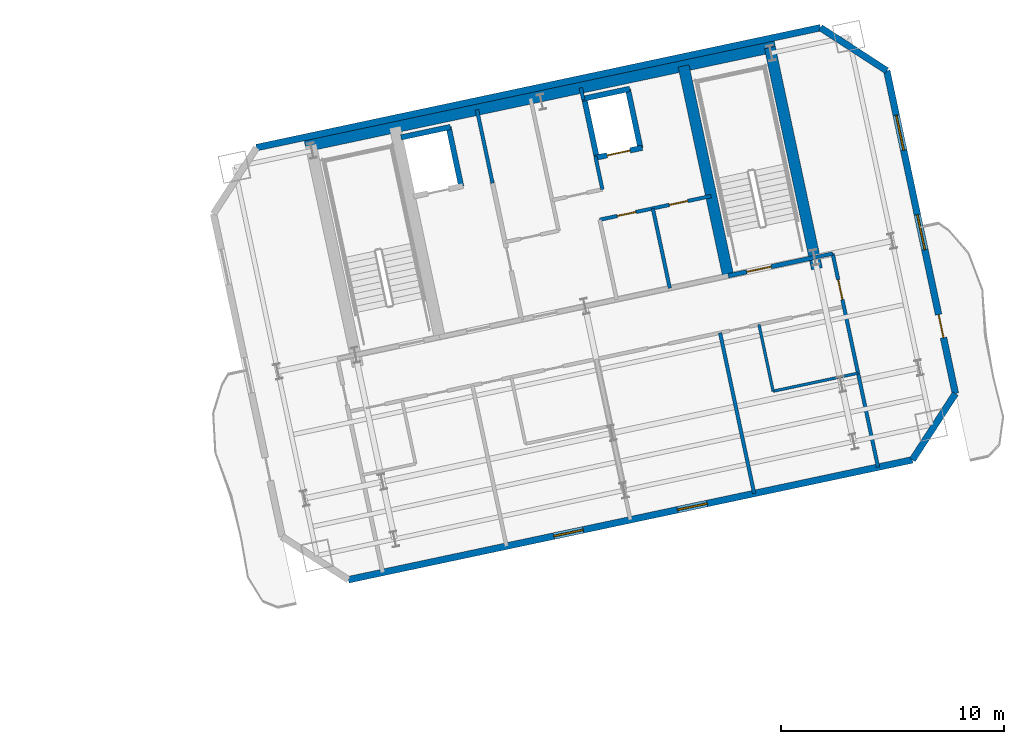
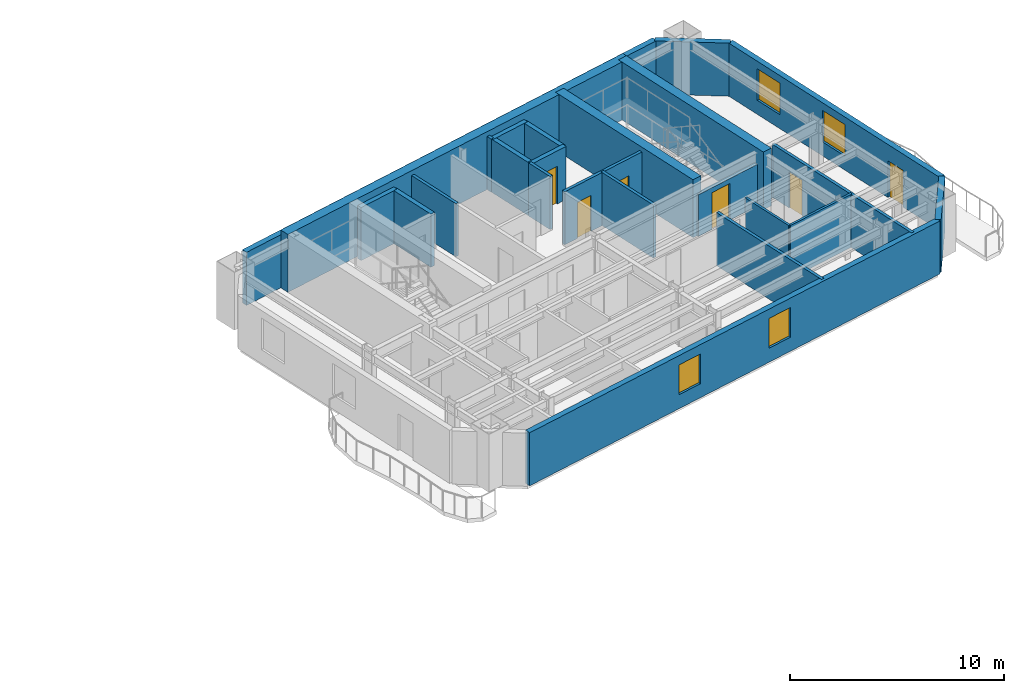
# One storey, part 9 of 14: 25 walls, 6 doors, 4 windows, 10 openings.
"""IFC4 building model written with IfcOpenShell, lengths in metres."""

from ifc_helpers import new_model, si_unit, direction, frame, frame_2d, origin, place, context, subcontext, project, spatial, rectangle, extrude, material, layer, layer_set, type_object, element, fill, save


model = new_model("IFC4")

# Units and contexts
model_context = context("Model", 3, precision=1e-05, world=origin(), true_north=direction((0.0, 1.0)))
body_context = subcontext(model_context, "Body", "Model", "MODEL_VIEW")
ifc_project = project(units=[si_unit("LENGTHUNIT", "METRE"), si_unit("AREAUNIT", "SQUARE_METRE"), si_unit("VOLUMEUNIT", "CUBIC_METRE"), si_unit("PLANEANGLEUNIT", "RADIAN"), si_unit("MASSUNIT", "GRAM", prefix="KILO")], contexts=[model_context])

# Site, building, storey
site_placement = place(None, origin())
site = spatial("IfcSite", under=ifc_project, at=site_placement, CompositionType="ELEMENT")
building_placement = place(site_placement, origin())
building = spatial("IfcBuilding", under=site, at=building_placement, Name="Haevon Station Towers", CompositionType="ELEMENT")
storey_placement = place(building_placement, frame((0.0, 0.0, 179.10009765625)))
storey = spatial("IfcBuildingStorey", under=building, at=storey_placement, Name="L49", CompositionType="ELEMENT", Elevation=179.10009765625)

# Wall, opening, door
ifc_material_1 = material(Name="Gypsum board on steel stud", Category="steel")
ifc_layer_1 = layer(ifc_material_1, 0.199951171875)
ifc_layer_set_1 = layer_set([ifc_layer_1], Name="Gypsum board on steel stud")
wall_type_1 = type_object("IfcWallType", Name="WL-COR200", PredefinedType="PARTITIONING", material=ifc_layer_set_1)
wall_1_placement = place(storey_placement, frame((115.4296875, 40.9873046875, 0.0), z_axis=(0.0, 0.0, 1.0), x_axis=(0.978146596989, 0.207916413008, 0.0)))
wall_1 = element("IfcWall", 1, at=wall_1_placement, inside=storey, type_object=wall_type_1, Name="WL-ST-ST4-L49", PredefinedType="PARTITIONING", context=body_context, shape_type="SweptSolid", body=[
    extrude(rectangle(XDim=3.9501953125, YDim=0.199951171875, at=frame_2d((1.97509765625, 0.0))), origin(), (0.0, 0.0, 1.0), 2.3798828125),
])
opening_1_placement = place(wall_1_placement, frame((0.85009765625, 0.0, 0.0)))
opening_1 = element("IfcOpeningElement", 2, at=opening_1_placement, cuts=wall_1, Name="Opening DR-ST-ST4-L49", PredefinedType="OPENING", context=body_context, shape_type="SweptSolid", body=[
    extrude(rectangle(XDim=1.1201171875, YDim=2.10009765625, at=frame_2d((0.56005859375, 1.050048828125))), frame((0.0, 0.10986328125, 0.0), z_axis=(0.0, -1.0, 0.0), x_axis=(1.0, 0.0, 0.0)), (0.0, 0.0, 1.0), 0.219970703125),
])
ifc_material_2 = material(Name="Engineered oak timber", Category="wood")
door_type_1 = type_object("IfcDoorType", Name="DR-ST-1120", OperationType="NOTDEFINED", PredefinedType="DOOR", material=ifc_material_2)
door_1_placement = place(opening_1_placement, origin())
door_1 = element("IfcDoor", 3, at=door_1_placement, inside=storey, type_object=door_type_1, Name="L49 Escape Stair ST4 Fire Door", OperationType="SINGLE_SWING_LEFT", OverallHeight=2.10009765625, OverallWidth=1.1201171875, PredefinedType="DOOR", context=body_context, shape_type="SweptSolid", body=[
    extrude(rectangle(XDim=1.1201171875, YDim=2.10009765625, at=frame_2d((0.56005859375, 1.050048828125))), frame((0.0, 0.02490234375, 0.0), z_axis=(0.0, -1.0, 0.0), x_axis=(1.0, 0.0, 0.0)), (0.0, 0.0, 1.0), 0.050048828125),
])
fill(opening_1, door_1)

# Walls
ifc_material_3 = material(Name="Concrete C60/75", Category="concrete")
ifc_layer_2 = layer(ifc_material_3, 0.5)
ifc_layer_set_2 = layer_set([ifc_layer_2], Name="Concrete C60/75")
wall_type_2 = type_object("IfcWallType", Name="WL-CR500", PredefinedType="SHEAR", material=ifc_layer_set_2)
wall_2_placement = place(storey_placement, frame((96.511962890625, 46.78076171875, 0.0), z_axis=(0.0, 0.0, 1.0), x_axis=(0.978148546782, 0.207907239961, 0.0)))
element("IfcWall", 4, at=wall_2_placement, inside=storey, type_object=wall_type_2, Name="WL-T2CR-L49-N", PredefinedType="SHEAR", context=body_context, shape_type="SweptSolid", body=[
    extrude(rectangle(XDim=21.499755859375, YDim=0.5, at=frame_2d((10.75, 0.0))), origin(), (0.0, 0.0, 1.0), 3.2998046875),
])
wall_3_placement = place(storey_placement, frame((119.401611328125, 41.2998046875, 0.0), z_axis=(0.0, 0.0, 1.0), x_axis=(-0.207904342798, 0.978149162575, 0.0)))
element("IfcWall", 5, at=wall_3_placement, inside=storey, type_object=wall_type_2, Name="WL-T2CR-L49-E", PredefinedType="SHEAR", context=body_context, shape_type="SweptSolid", body=[
    extrude(rectangle(XDim=10.1201171875, YDim=0.5, at=frame_2d((5.06005859375, 0.0))), origin(), (0.0, 0.0, 1.0), 3.2998046875),
])
wall_4_placement = place(storey_placement, frame((115.4296875, 40.9873046875, 0.0), z_axis=(0.0, 0.0, 1.0), x_axis=(-0.207903162969, 0.978149413345, 0.0)))
element("IfcWall", 6, at=wall_4_placement, inside=storey, type_object=wall_type_2, Name="WL-T2CR-L49-M2", PredefinedType="SHEAR", context=body_context, shape_type="SweptSolid", body=[
    extrude(rectangle(XDim=9.599853515625, YDim=0.5, at=frame_2d((4.7998046875, 0.0))), origin(), (0.0, 0.0, 1.0), 3.2998046875),
])

# Wall, openings, windows
ifc_material_4 = material(Name="Precast concrete C45/55", Category="concrete")
ifc_layer_3 = layer(ifc_material_4, 0.300048828125)
ifc_layer_set_3 = layer_set([ifc_layer_3], Name="Precast concrete C45/55")
wall_type_3 = type_object("IfcWallType", Name="WL-EXT-PIER300", PredefinedType="SOLIDWALL", material=ifc_layer_set_3)
wall_5_placement = place(storey_placement, frame((123.67236328125, 32.7509765625, 0.0), z_axis=(0.0, 0.0, 1.0), x_axis=(-0.978148652743, -0.207906741442, 0.0)))
wall_5 = element("IfcWall", 7, at=wall_5_placement, inside=storey, type_object=wall_type_3, Name="WL-T2-L49-S", PredefinedType="SOLIDWALL", context=body_context, shape_type="SweptSolid", body=[
    extrude(rectangle(XDim=25.800048828125, YDim=0.300048828125, at=frame_2d((12.89990234375, 0.0))), origin(), (0.0, 0.0, 1.0), 3.02978515625),
])
opening_2_placement = place(wall_5_placement, frame((15.0576171875, 0.0, 0.800048828125)))
opening_2 = element("IfcOpeningElement", 8, at=opening_2_placement, cuts=wall_5, Name="Opening WN-P135", PredefinedType="OPENING", context=body_context, shape_type="SweptSolid", body=[
    extrude(rectangle(XDim=1.35009765625, YDim=1.699951171875, at=frame_2d((0.675048828125, 0.85009765625))), frame((0.0, 0.159912109375, 0.0), z_axis=(0.0, -1.0, 0.0), x_axis=(1.0, 0.0, 0.0)), (0.0, 0.0, 1.0), 0.320068359375),
])
opening_3_placement = place(wall_5_placement, frame((9.392578125, 0.0, 0.800048828125)))
opening_3 = element("IfcOpeningElement", 9, at=opening_3_placement, cuts=wall_5, Name="Opening WN-P135", PredefinedType="OPENING", context=body_context, shape_type="SweptSolid", body=[
    extrude(rectangle(XDim=1.35009765625, YDim=1.699951171875, at=frame_2d((0.675048828125, 0.85009765625))), frame((0.0, 0.159912109375, 0.0), z_axis=(0.0, -1.0, 0.0), x_axis=(1.0, 0.0, 0.0)), (0.0, 0.0, 1.0), 0.320068359375),
])
ifc_material_5 = material(Name="Low-E triple glazing in thermally broken aluminium", Category="aluminium")
window_type_1 = type_object("IfcWindowType", Name="WN-P135", PartitioningType="SINGLE_PANEL", PredefinedType="WINDOW", material=ifc_material_5)
window_1_placement = place(opening_2_placement, origin())
window_1 = element("IfcWindow", 10, at=window_1_placement, inside=storey, type_object=window_type_1, Name="WN-T2-L49-S01", OverallHeight=1.699951171875, OverallWidth=1.35009765625, PartitioningType="SINGLE_PANEL", PredefinedType="WINDOW", context=body_context, shape_type="SweptSolid", body=[
    extrude(rectangle(XDim=1.35009765625, YDim=1.699951171875, at=frame_2d((0.675048828125, 0.85009765625))), frame((0.0, 0.030029296875, 0.0), z_axis=(0.0, -1.0, 0.0), x_axis=(1.0, 0.0, 0.0)), (0.0, 0.0, 1.0), 0.06005859375),
])
fill(opening_2, window_1)
window_2_placement = place(opening_3_placement, origin())
window_2 = element("IfcWindow", 11, at=window_2_placement, inside=storey, type_object=window_type_1, Name="WN-T2-L49-S02", OverallHeight=1.699951171875, OverallWidth=1.35009765625, PartitioningType="SINGLE_PANEL", PredefinedType="WINDOW", context=body_context, shape_type="SweptSolid", body=[
    extrude(rectangle(XDim=1.35009765625, YDim=1.699951171875, at=frame_2d((0.675048828125, 0.85009765625))), frame((0.0, 0.030029296875, 0.0), z_axis=(0.0, -1.0, 0.0), x_axis=(1.0, 0.0, 0.0)), (0.0, 0.0, 1.0), 0.06005859375),
])
fill(opening_3, window_2)

# Walls
wall_6_placement = place(storey_placement, frame((94.32568359375, 46.724853515625, 0.0), z_axis=(0.0, 0.0, 1.0), x_axis=(0.978146319248, 0.207917719645, 0.0)))
element("IfcWall", 12, at=wall_6_placement, inside=storey, type_object=wall_type_3, Name="WL-T2-L49-N", PredefinedType="SOLIDWALL", context=body_context, shape_type="SweptSolid", body=[
    extrude(rectangle(XDim=25.7998046875, YDim=0.300048828125, at=frame_2d((12.89990234375, 0.0))), origin(), (0.0, 0.0, 1.0), 3.02978515625),
])
wall_7_placement = place(storey_placement, frame((119.561767578125, 52.089111328125, 0.0), z_axis=(0.0, 0.0, 1.0), x_axis=(0.838661251934, -0.544653380146, 0.0)))
element("IfcWall", 13, at=wall_7_placement, inside=storey, type_object=wall_type_3, Name="WL-T2-L49-NEC", PredefinedType="SOLIDWALL", context=body_context, shape_type="SweptSolid", body=[
    extrude(rectangle(XDim=3.535888671875, YDim=0.300048828125, at=frame_2d((1.76806640625, 0.0))), origin(), (0.0, 0.0, 1.0), 3.02978515625),
])

# Wall, openings, door, windows
wall_8_placement = place(storey_placement, frame((122.527099609375, 50.163330078125, 0.0), z_axis=(0.0, 0.0, 1.0), x_axis=(0.207911144611, -0.978147716834, 0.0)))
wall_8 = element("IfcWall", 14, at=wall_8_placement, inside=storey, type_object=wall_type_3, Name="WL-T2-L49-E", PredefinedType="SOLIDWALL", context=body_context, shape_type="SweptSolid", body=[
    extrude(rectangle(XDim=14.769775390625, YDim=0.300048828125, at=frame_2d((7.384765625, 0.0))), origin(), (0.0, 0.0, 1.0), 3.02978515625),
])
opening_4_placement = place(wall_8_placement, frame((11.159912109375, 0.0, 0.0)))
opening_4 = element("IfcOpeningElement", 15, at=opening_4_placement, cuts=wall_8, Name="Opening DR-T2-SCAL-L49-E", PredefinedType="OPENING", context=body_context, shape_type="SweptSolid", body=[
    extrude(rectangle(XDim=1.050048828125, YDim=2.10009765625, at=frame_2d((0.52490234375, 1.050048828125))), frame((0.0, 0.159912109375, 0.0), z_axis=(0.0, -1.0, 0.0), x_axis=(1.0, 0.0, 0.0)), (0.0, 0.0, 1.0), 0.320068359375),
])
opening_5_placement = place(wall_8_placement, frame((2.03955078125, 0.0, 0.800048828125)))
opening_5 = element("IfcOpeningElement", 16, at=opening_5_placement, cuts=wall_8, Name="Opening WN-END160", PredefinedType="OPENING", context=body_context, shape_type="SweptSolid", body=[
    extrude(rectangle(XDim=1.60009765625, YDim=1.800048828125, at=frame_2d((0.800048828125, 0.89990234375))), frame((0.0, 0.159912109375, 0.0), z_axis=(0.0, -1.0, 0.0), x_axis=(1.0, 0.0, 0.0)), (0.0, 0.0, 1.0), 0.320068359375),
])
opening_6_placement = place(wall_8_placement, frame((6.5849609375, 0.0, 0.800048828125)))
opening_6 = element("IfcOpeningElement", 17, at=opening_6_placement, cuts=wall_8, Name="Opening WN-END160", PredefinedType="OPENING", context=body_context, shape_type="SweptSolid", body=[
    extrude(rectangle(XDim=1.60009765625, YDim=1.800048828125, at=frame_2d((0.800048828125, 0.89990234375))), frame((0.0, 0.159912109375, 0.0), z_axis=(0.0, -1.0, 0.0), x_axis=(1.0, 0.0, 0.0)), (0.0, 0.0, 1.0), 0.320068359375),
])
ifc_material_6 = material(Name="Thermally broken anodised aluminium and laminated safety glass", Category="aluminium")
door_type_2 = type_object("IfcDoorType", Name="DR-BALC-1050", OperationType="NOTDEFINED", PredefinedType="DOOR", material=ifc_material_6)
door_2_placement = place(opening_4_placement, origin())
door_2 = element("IfcDoor", 18, at=door_2_placement, inside=storey, type_object=door_type_2, Name="Tower 2 L49 East Scalloped Balcony Door", OperationType="SINGLE_SWING_RIGHT", OverallHeight=2.10009765625, OverallWidth=1.050048828125, PredefinedType="DOOR", context=body_context, shape_type="SweptSolid", body=[
    extrude(rectangle(XDim=1.050048828125, YDim=2.10009765625, at=frame_2d((0.52490234375, 1.050048828125))), frame((0.0, 0.02490234375, 0.0), z_axis=(0.0, -1.0, 0.0), x_axis=(1.0, 0.0, 0.0)), (0.0, 0.0, 1.0), 0.050048828125),
])
fill(opening_4, door_2)
window_type_2 = type_object("IfcWindowType", Name="WN-END160", PartitioningType="SINGLE_PANEL", PredefinedType="WINDOW", material=ifc_material_5)
window_3_placement = place(opening_5_placement, origin())
window_3 = element("IfcWindow", 19, at=window_3_placement, inside=storey, type_object=window_type_2, Name="WN-T2-L49-E01", OverallHeight=1.800048828125, OverallWidth=1.60009765625, PartitioningType="SINGLE_PANEL", PredefinedType="WINDOW", context=body_context, shape_type="SweptSolid", body=[
    extrude(rectangle(XDim=1.60009765625, YDim=1.800048828125, at=frame_2d((0.800048828125, 0.89990234375))), frame((0.0, 0.030029296875, 0.0), z_axis=(0.0, -1.0, 0.0), x_axis=(1.0, 0.0, 0.0)), (0.0, 0.0, 1.0), 0.06005859375),
])
fill(opening_5, window_3)
window_4_placement = place(opening_6_placement, origin())
window_4 = element("IfcWindow", 20, at=window_4_placement, inside=storey, type_object=window_type_2, Name="WN-T2-L49-E02", OverallHeight=1.800048828125, OverallWidth=1.60009765625, PartitioningType="SINGLE_PANEL", PredefinedType="WINDOW", context=body_context, shape_type="SweptSolid", body=[
    extrude(rectangle(XDim=1.60009765625, YDim=1.800048828125, at=frame_2d((0.800048828125, 0.89990234375))), frame((0.0, 0.030029296875, 0.0), z_axis=(0.0, -1.0, 0.0), x_axis=(1.0, 0.0, 0.0)), (0.0, 0.0, 1.0), 0.06005859375),
])
fill(opening_6, window_4)

# Walls
wall_9_placement = place(storey_placement, frame((125.597900390625, 35.71630859375, 0.0), z_axis=(0.0, 0.0, 1.0), x_axis=(-0.544604812064, -0.838692791597, 0.0)))
element("IfcWall", 21, at=wall_9_placement, inside=storey, type_object=wall_type_3, Name="WL-T2-L49-SEC", PredefinedType="SOLIDWALL", context=body_context, shape_type="SweptSolid", body=[
    extrude(rectangle(XDim=3.53564453125, YDim=0.300048828125, at=frame_2d((1.767822265625, 0.0))), origin(), (0.0, 0.0, 1.0), 3.02978515625),
])
ifc_layer_4 = layer(ifc_material_1, 0.125)
ifc_layer_set_4 = layer_set([ifc_layer_4], Name="Gypsum board on steel stud")
wall_type_4 = type_object("IfcWallType", Name="WL-PRT125", PredefinedType="PARTITIONING", material=ifc_layer_set_4)
wall_10_placement = place(storey_placement, frame((117.4423828125, 35.822998046875, 0.0), z_axis=(0.0, 0.0, 1.0), x_axis=(0.978155976132, 0.207872283762, 0.0)))
element("IfcWall", 22, at=wall_10_placement, inside=storey, type_object=wall_type_4, Name="WL-T2PT-L49-12", PredefinedType="PARTITIONING", context=body_context, shape_type="SweptSolid", body=[
    extrude(rectangle(XDim=3.88525390625, YDim=0.125, at=frame_2d((1.942626953125, 0.0))), origin(), (0.0, 0.0, 1.0), 3.02978515625),
])
wall_11_placement = place(storey_placement, frame((117.4423828125, 35.822998046875, 0.0), z_axis=(0.0, 0.0, 1.0), x_axis=(-0.207894179953, 0.978151322619, 0.0)))
element("IfcWall", 23, at=wall_11_placement, inside=storey, type_object=wall_type_4, Name="WL-T2PT-L49-13", PredefinedType="PARTITIONING", context=body_context, shape_type="SweptSolid", body=[
    extrude(rectangle(XDim=3.0498046875, YDim=0.125, at=frame_2d((1.52490234375, 0.0))), origin(), (0.0, 0.0, 1.0), 3.02978515625),
])
ifc_layer_5 = layer(ifc_material_1, 0.159912109375)
ifc_layer_set_5 = layer_set([ifc_layer_5], Name="Gypsum board on steel stud")
wall_type_5 = type_object("IfcWallType", Name="WL-PRT160", PredefinedType="PARTITIONING", material=ifc_layer_set_5)
wall_12_placement = place(storey_placement, frame((104.88671875, 45.135986328125, 0.0), z_axis=(0.0, 0.0, 1.0), x_axis=(-0.207846553267, 0.978161443881, 0.0)))
element("IfcWall", 24, at=wall_12_placement, inside=storey, type_object=wall_type_5, Name="WL-T2CW-L49-01", PredefinedType="PARTITIONING", context=body_context, shape_type="SweptSolid", body=[
    extrude(rectangle(XDim=3.35009765625, YDim=0.159912109375, at=frame_2d((1.675048828125, 0.0))), origin(), (0.0, 0.0, 1.0), 3.02978515625),
])
wall_13_placement = place(storey_placement, frame((109.80322265625, 44.85205078125, 0.0), z_axis=(0.0, 0.0, 1.0), x_axis=(-0.207872383819, 0.978155954869, 0.0)))
element("IfcWall", 25, at=wall_13_placement, inside=storey, type_object=wall_type_5, Name="WL-T2CW-L49-05", PredefinedType="PARTITIONING", context=body_context, shape_type="SweptSolid", body=[
    extrude(rectangle(XDim=1.499755859375, YDim=0.159912109375, at=frame_2d((0.75, 0.0))), origin(), (0.0, 0.0, 1.0), 3.02978515625),
])
wall_14_placement = place(storey_placement, frame((108.950927734375, 48.8623046875, 0.0), z_axis=(0.0, 0.0, 1.0), x_axis=(-0.208134744237, 0.978100162683, 0.0)))
element("IfcWall", 26, at=wall_14_placement, inside=storey, type_object=wall_type_5, Name="WL-T2CW-L49-06", PredefinedType="PARTITIONING", context=body_context, shape_type="SweptSolid", body=[
    extrude(rectangle(XDim=0.550048828125, YDim=0.159912109375, at=frame_2d((0.27490234375, 0.0))), origin(), (0.0, 0.0, 1.0), 3.02978515625),
])
wall_15_placement = place(storey_placement, frame((112.818115234375, 40.43212890625, 0.0), z_axis=(0.0, 0.0, 1.0), x_axis=(-0.207884354546, 0.978153410838, 0.0)))
element("IfcWall", 27, at=wall_15_placement, inside=storey, type_object=wall_type_5, Name="WL-T2CW-L49-08", PredefinedType="PARTITIONING", context=body_context, shape_type="SweptSolid", body=[
    extrude(rectangle(XDim=3.650146484375, YDim=0.159912109375, at=frame_2d((1.8251953125, 0.0))), origin(), (0.0, 0.0, 1.0), 3.02978515625),
])

# Wall, openings, doors
wall_16_placement = place(storey_placement, frame((109.682373046875, 43.497314453125, 0.0), z_axis=(0.0, 0.0, 1.0), x_axis=(0.978149238447, 0.207903985835, 0.0)))
wall_16 = element("IfcWall", 28, at=wall_16_placement, inside=storey, type_object=wall_type_5, Name="WL-T2CW-L49-09", PredefinedType="PARTITIONING", context=body_context, shape_type="SweptSolid", body=[
    extrude(rectangle(XDim=5.099853515625, YDim=0.159912109375, at=frame_2d((2.5498046875, 0.0))), origin(), (0.0, 0.0, 1.0), 3.02978515625),
])
opening_7_placement = place(wall_16_placement, frame((0.81005859375, 0.0, 0.0)))
opening_7 = element("IfcOpeningElement", 29, at=opening_7_placement, cuts=wall_16, Name="Opening DR-WL-T2CW-L49-09-1", PredefinedType="OPENING", context=body_context, shape_type="SweptSolid", body=[
    extrude(rectangle(XDim=0.85009765625, YDim=2.050048828125, at=frame_2d((0.425048828125, 1.02490234375))), frame((0.0, 0.08984375, 0.0), z_axis=(0.0, -1.0, 0.0), x_axis=(1.0, 0.0, 0.0)), (0.0, 0.0, 1.0), 0.179931640625),
])
opening_8_placement = place(wall_16_placement, frame((3.179931640625, 0.0, 0.0)))
opening_8 = element("IfcOpeningElement", 30, at=opening_8_placement, cuts=wall_16, Name="Opening DR-WL-T2CW-L49-09-2", PredefinedType="OPENING", context=body_context, shape_type="SweptSolid", body=[
    extrude(rectangle(XDim=0.85009765625, YDim=2.050048828125, at=frame_2d((0.425048828125, 1.02490234375))), frame((0.0, 0.08984375, 0.0), z_axis=(0.0, -1.0, 0.0), x_axis=(1.0, 0.0, 0.0)), (0.0, 0.0, 1.0), 0.179931640625),
])
door_type_3 = type_object("IfcDoorType", Name="DR-FD30-850", OperationType="NOTDEFINED", PredefinedType="DOOR", material=ifc_material_2)
door_3_placement = place(opening_7_placement, origin())
door_3 = element("IfcDoor", 31, at=door_3_placement, inside=storey, type_object=door_type_3, Name="L49 Tower 2 Core Room Door 9-1", OperationType="SINGLE_SWING_RIGHT", OverallHeight=2.050048828125, OverallWidth=0.85009765625, PredefinedType="DOOR", context=body_context, shape_type="SweptSolid", body=[
    extrude(rectangle(XDim=0.85009765625, YDim=2.050048828125, at=frame_2d((0.425048828125, 1.02490234375))), frame((0.0, 0.02490234375, 0.0), z_axis=(0.0, -1.0, 0.0), x_axis=(1.0, 0.0, 0.0)), (0.0, 0.0, 1.0), 0.050048828125),
])
fill(opening_7, door_3)
door_4_placement = place(opening_8_placement, origin())
door_4 = element("IfcDoor", 32, at=door_4_placement, inside=storey, type_object=door_type_3, Name="L49 Tower 2 Core Room Door 9-2", OperationType="SINGLE_SWING_LEFT", OverallHeight=2.050048828125, OverallWidth=0.85009765625, PredefinedType="DOOR", context=body_context, shape_type="SweptSolid", body=[
    extrude(rectangle(XDim=0.85009765625, YDim=2.050048828125, at=frame_2d((0.425048828125, 1.02490234375))), frame((0.0, 0.02490234375, 0.0), z_axis=(0.0, -1.0, 0.0), x_axis=(1.0, 0.0, 0.0)), (0.0, 0.0, 1.0), 0.050048828125),
])
fill(opening_8, door_4)

# Wall
wall_17_placement = place(storey_placement, frame((119.29345703125, 41.80859375, 0.0), z_axis=(0.0, 0.0, 1.0), x_axis=(0.978132675688, 0.207981895251, 0.0)))
element("IfcWall", 33, at=wall_17_placement, inside=storey, type_object=wall_type_5, Name="WL-T2PT-L49-02", PredefinedType="PARTITIONING", context=body_context, shape_type="SweptSolid", body=[
    extrude(rectangle(XDim=0.829833984375, YDim=0.159912109375, at=frame_2d((0.4150390625, 0.0))), origin(), (0.0, 0.0, 1.0), 2.3798828125),
])

# Wall, opening, door
wall_18_placement = place(storey_placement, frame((122.13671875, 32.424560546875, 0.0), z_axis=(0.0, 0.0, 1.0), x_axis=(-0.207928090601, 0.978144114709, 0.0)))
wall_18 = element("IfcWall", 34, at=wall_18_placement, inside=storey, type_object=wall_type_5, Name="WL-T2PT-L49-04", PredefinedType="PARTITIONING", context=body_context, shape_type="SweptSolid", body=[
    extrude(rectangle(XDim=9.770263671875, YDim=0.159912109375, at=frame_2d((4.88525390625, 0.0))), origin(), (0.0, 0.0, 1.0), 3.02978515625),
])
opening_9_placement = place(wall_18_placement, frame((7.669921875, 0.0, 0.0)))
opening_9 = element("IfcOpeningElement", 35, at=opening_9_placement, cuts=wall_18, Name="Opening DR-WL-T2PT-L49-04-01", PredefinedType="OPENING", context=body_context, shape_type="SweptSolid", body=[
    extrude(rectangle(XDim=0.89990234375, YDim=2.050048828125, at=frame_2d((0.449951171875, 1.02490234375))), frame((0.0, 0.08984375, 0.0), z_axis=(0.0, -1.0, 0.0), x_axis=(1.0, 0.0, 0.0)), (0.0, 0.0, 1.0), 0.179931640625),
])
door_type_4 = type_object("IfcDoorType", Name="DR-INT-900", OperationType="NOTDEFINED", PredefinedType="DOOR", material=ifc_material_2)
door_5_placement = place(opening_9_placement, origin())
door_5 = element("IfcDoor", 36, at=door_5_placement, inside=storey, type_object=door_type_4, Name="L49 Tower 2 Room Door 4-1", OperationType="SINGLE_SWING_LEFT", OverallHeight=2.050048828125, OverallWidth=0.89990234375, PredefinedType="DOOR", context=body_context, shape_type="SweptSolid", body=[
    extrude(rectangle(XDim=0.89990234375, YDim=2.050048828125, at=frame_2d((0.449951171875, 1.02490234375))), frame((0.0, 0.02490234375, 0.0), z_axis=(0.0, -1.0, 0.0), x_axis=(1.0, 0.0, 0.0)), (0.0, 0.0, 1.0), 0.050048828125),
])
fill(opening_9, door_5)

# Walls
wall_19_placement = place(storey_placement, frame((116.595458984375, 31.246826171875, 0.0), z_axis=(0.0, 0.0, 1.0), x_axis=(-0.207931851187, 0.978143315298, 0.0)))
element("IfcWall", 37, at=wall_19_placement, inside=storey, type_object=wall_type_5, Name="WL-T2PT-L49-11", PredefinedType="PARTITIONING", context=body_context, shape_type="SweptSolid", body=[
    extrude(rectangle(XDim=7.35009765625, YDim=0.159912109375, at=frame_2d((3.675048828125, 0.0))), origin(), (0.0, 0.0, 1.0), 3.02978515625),
])
ifc_material_7 = material(Name="Concrete C40/50", Category="concrete")
ifc_layer_6 = layer(ifc_material_7, 0.239990234375)
ifc_layer_set_6 = layer_set([ifc_layer_6], Name="Concrete C40/50")
wall_type_6 = type_object("IfcWallType", Name="WL-SHF240", PredefinedType="PARTITIONING", material=ifc_layer_set_6)
wall_20_placement = place(storey_placement, frame((100.79248046875, 47.179443359375, 0.0), z_axis=(0.0, 0.0, 1.0), x_axis=(0.978162968872, 0.207839376268, 0.0)))
element("IfcWall", 38, at=wall_20_placement, inside=storey, type_object=wall_type_6, Name="WL-SHF-FL2-L49-N", PredefinedType="PARTITIONING", context=body_context, shape_type="SweptSolid", body=[
    extrude(rectangle(XDim=2.260009765625, YDim=0.239990234375, at=frame_2d((1.1298828125, 0.0))), origin(), (0.0, 0.0, 1.0), 3.02978515625),
])
wall_21_placement = place(storey_placement, frame((103.486328125, 44.99169921875, 0.0), z_axis=(0.0, 0.0, 1.0), x_axis=(-0.207978798957, 0.978133334052, 0.0)))
element("IfcWall", 39, at=wall_21_placement, inside=storey, type_object=wall_type_6, Name="WL-SHF-FL2-L49-E", PredefinedType="PARTITIONING", context=body_context, shape_type="SweptSolid", body=[
    extrude(rectangle(XDim=2.699951171875, YDim=0.239990234375, at=frame_2d((1.35009765625, 0.0))), origin(), (0.0, 0.0, 1.0), 3.02978515625),
])

# Wall, opening, door
wall_22_placement = place(storey_placement, frame((109.472412109375, 46.263916015625, 0.0), z_axis=(0.0, 0.0, 1.0), x_axis=(0.97813528961, 0.207969601673, 0.0)))
wall_22 = element("IfcWall", 40, at=wall_22_placement, inside=storey, type_object=wall_type_6, Name="WL-SHF-PL9-L49", PredefinedType="PARTITIONING", context=body_context, shape_type="SweptSolid", body=[
    extrude(rectangle(XDim=2.159912109375, YDim=0.239990234375, at=frame_2d((1.080078125, 0.0))), origin(), (0.0, 0.0, 1.0), 3.02978515625),
])
opening_10_placement = place(wall_22_placement, frame((0.554931640625, 0.0, 0.0)))
opening_10 = element("IfcOpeningElement", 41, at=opening_10_placement, cuts=wall_22, Name="Opening LD-PL9-L49", PredefinedType="OPENING", context=body_context, shape_type="SweptSolid", body=[
    extrude(rectangle(XDim=1.050048828125, YDim=2.14990234375, at=frame_2d((0.52490234375, 1.074951171875))), frame((0.0, 0.1298828125, 0.0), z_axis=(0.0, -1.0, 0.0), x_axis=(1.0, 0.0, 0.0)), (0.0, 0.0, 1.0), 0.260009765625),
])
ifc_material_8 = material(Name="Stainless steel and rated core", Category="steel")
door_type_5 = type_object("IfcDoorType", Name="LD-PL1050", OperationType="SLIDING_TO_LEFT", PredefinedType="DOOR", material=ifc_material_8)
door_6_placement = place(opening_10_placement, origin())
door_6 = element("IfcDoor", 42, at=door_6_placement, inside=storey, type_object=door_type_5, Name="L49 Lift PL9 Sliding Landing Door", OperationType="SLIDING_TO_LEFT", OverallHeight=2.14990234375, OverallWidth=1.050048828125, PredefinedType="DOOR", context=body_context, shape_type="SweptSolid", body=[
    extrude(rectangle(XDim=1.050048828125, YDim=2.14990234375, at=frame_2d((0.52490234375, 1.074951171875))), frame((0.0, 0.02490234375, 0.0), z_axis=(0.0, -1.0, 0.0), x_axis=(1.0, 0.0, 0.0)), (0.0, 0.0, 1.0), 0.050048828125),
])
fill(opening_10, door_6)

# Walls
wall_23_placement = place(storey_placement, frame((108.9111328125, 48.905029296875, 0.0), z_axis=(0.0, 0.0, 1.0), x_axis=(0.978158276388, 0.207861459473, 0.0)))
element("IfcWall", 43, at=wall_23_placement, inside=storey, type_object=wall_type_6, Name="WL-SHF-PL9-L49-N", PredefinedType="PARTITIONING", context=body_context, shape_type="SweptSolid", body=[
    extrude(rectangle(XDim=2.159912109375, YDim=0.239990234375, at=frame_2d((1.080078125, 0.0))), origin(), (0.0, 0.0, 1.0), 3.02978515625),
])
for number, where, z_axis, x_axis, name in (
    (44, (109.55078125, 46.28076171875, 0.0), (0.0, 0.0, 1.0), (-0.207892282326, 0.978151725935, 0.0), "WL-SHF-PL9-L49-W"),
    (45, (111.507080078125, 46.696533203125, 0.0), (0.0, 0.0, 1.0), (-0.207892282326, 0.978151725935, 0.0), "WL-SHF-PL9-L49-E"),
):
    element("IfcWall", number, at=place(storey_placement, frame(where, z_axis=z_axis, x_axis=x_axis)), inside=storey, type_object=wall_type_6, Name=name, PredefinedType="PARTITIONING", context=body_context, shape_type="SweptSolid", body=[
        extrude(rectangle(XDim=2.699951171875, YDim=0.239990234375, at=frame_2d((1.35009765625, 0.0))), origin(), (0.0, 0.0, 1.0), 3.02978515625),
    ])

save(model, "model.ifc")
